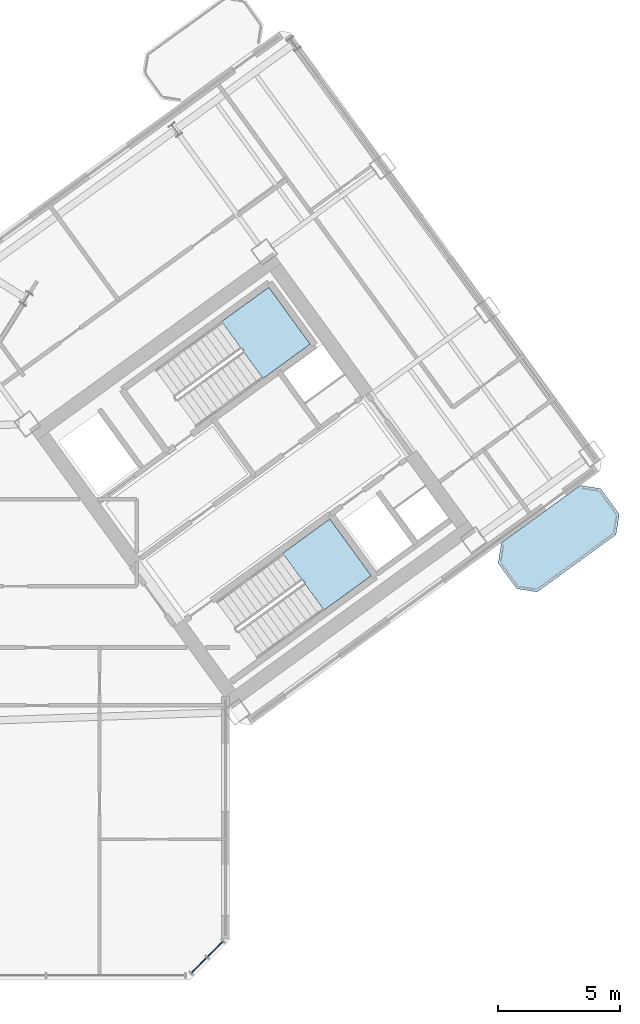
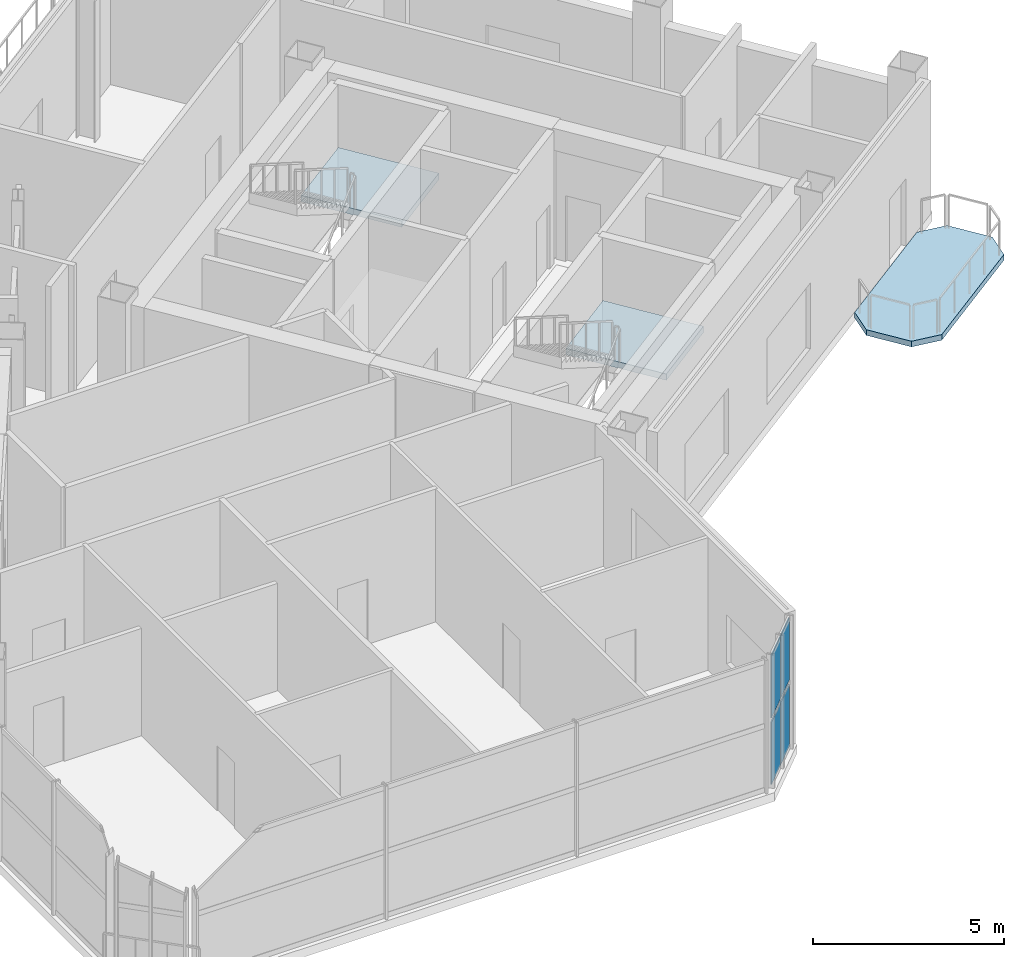
# One storey, part 10 of 21: 4 plates, 3 slabs, 3 elements without a shape of their own.
"""IFC4 building model written with IfcOpenShell, lengths in metres."""

from ifc_helpers import new_model, si_unit, direction, frame, origin, origin_2d, place, context, subcontext, project, spatial, polyline, rectangle, outline, extrude, source, transform, mapped, material, layer, layer_set, type_object, element, aggregate, save


model = new_model("IFC4")

# Units and contexts
model_context = context("Model", 3, precision=1e-05, world=origin(), true_north=direction((0.0, 1.0)))
body_context = subcontext(model_context, "Body", "Model", "MODEL_VIEW")
ifc_project = project(units=[si_unit("LENGTHUNIT", "METRE"), si_unit("AREAUNIT", "SQUARE_METRE"), si_unit("VOLUMEUNIT", "CUBIC_METRE"), si_unit("PLANEANGLEUNIT", "RADIAN"), si_unit("MASSUNIT", "GRAM", prefix="KILO")], contexts=[model_context])

# Site, building, storey
site_placement = place(None, origin())
site = spatial("IfcSite", under=ifc_project, at=site_placement, CompositionType="ELEMENT")
building_placement = place(site_placement, origin())
building = spatial("IfcBuilding", under=site, at=building_placement, Name="Tlacorven Tower", CompositionType="ELEMENT")
storey_placement = place(building_placement, frame((0.0, 0.0, 199.5)))
storey = spatial("IfcBuildingStorey", under=building, at=storey_placement, Name="L50", CompositionType="ELEMENT", Elevation=199.5)

# Slab
ifc_material_1 = material(Name="Precast concrete C45/55", Category="concrete")
ifc_layer_1 = layer(ifc_material_1, 0.179931640625)
ifc_layer_set_1 = layer_set([ifc_layer_1], Name="Precast concrete C45/55")
slab_type_1 = type_object("IfcSlabType", Name="SL-BAL-180", PredefinedType="USERDEFINED", material=ifc_layer_set_1)
slab_1_placement = place(storey_placement, frame((0.0, 0.0, -0.179931640625)))
element("IfcSlab", 1, at=slab_1_placement, inside=storey, type_object=slab_type_1, Name="L50 East Wing Balcony Ribbon OUT", ObjectType="BALCONY SLAB", PredefinedType="USERDEFINED", context=body_context, shape_type="SweptSolid", body=[
    extrude(outline(polyline([(65.025634765625, 17.69482421875), (68.26171875, 20.046142578125), (68.394287109375, 20.884033203125), (67.633056640625, 21.931884765625), (66.795166015625, 22.064453125), (63.55908203125, 19.71337890625), (63.42626953125, 18.875244140625), (64.1875, 17.82763671875), (65.025634765625, 17.69482421875)])), origin(), (0.0, 0.0, 1.0), 0.179931640625),
])

# Stair, slab
ifc_material_2 = material(Name="Concrete C40/50", Category="concrete")
stair_type = type_object("IfcStairType", Name="ST-CORE-DLG", PredefinedType="HALF_TURN_STAIR", material=ifc_material_2)
stair_1_placement = place(storey_placement, origin())
stair_1 = element("IfcStair", 2, at=stair_1_placement, inside=storey, type_object=stair_type, Name="L50 Protected Exit Stair East 1", PredefinedType="HALF_TURN_STAIR")
ifc_layer_2 = layer(ifc_material_2, 0.199951171875)
ifc_layer_set_2 = layer_set([ifc_layer_2], Name="Concrete C40/50")
slab_type_2 = type_object("IfcSlabType", Name="SL-LND-200", PredefinedType="LANDING", material=ifc_layer_set_2)
slab_2_placement = place(storey_placement, frame((0.0, 0.0, 2.050048828125)))
slab_2 = element("IfcSlab", 3, at=slab_2_placement, type_object=slab_type_2, Name="ST-E1 landing 1", PredefinedType="LANDING", context=body_context, shape_type="SweptSolid", body=[
    extrude(outline(polyline([(53.77734375, 26.456787109375), (55.7109375, 27.861572265625), (54.01806640625, 30.19140625), (52.08447265625, 28.78662109375), (53.77734375, 26.456787109375)])), origin(), (0.0, 0.0, 1.0), 0.199951171875),
])
aggregate(stair_1, [slab_2])

stair_2_placement = place(storey_placement, origin())
stair_2 = element("IfcStair", 4, at=stair_2_placement, inside=storey, type_object=stair_type, Name="L50 Protected Exit Stair East 2", PredefinedType="HALF_TURN_STAIR")
slab_3_placement = place(storey_placement, frame((0.0, 0.0, 2.050048828125)))
slab_3 = element("IfcSlab", 5, at=slab_3_placement, type_object=slab_type_2, Name="ST-E2 landing 1", PredefinedType="LANDING", context=body_context, shape_type="SweptSolid", body=[
    extrude(outline(polyline([(56.28125, 16.95361328125), (58.21484375, 18.3583984375), (56.52197265625, 20.6884765625), (54.58837890625, 19.283447265625), (56.28125, 16.95361328125)])), origin(), (0.0, 0.0, 1.0), 0.199951171875),
])
aggregate(stair_2, [slab_3])

# Curtain wall, plates
ifc_material_3 = material(Name="Dark solar low-E double glazing in aluminium frame", Category="aluminium")
curtain_wall_type = type_object("IfcCurtainWallType", Name="CW-COM-AMENITY", PredefinedType="USERDEFINED", material=ifc_material_3)
curtain_wall_placement = place(storey_placement, origin())
curtain_wall = element("IfcCurtainWall", 6, at=curtain_wall_placement, inside=storey, type_object=curtain_wall_type, Name="L50 CW-COM-AMENITY Curtain Wall 228", ObjectType="UNITISED CURTAIN WALL", PredefinedType="USERDEFINED")
ifc_material_4 = material(Name="Dark solar acoustic laminated low-E glazing", Category="glass")
ifc_layer_3 = layer(ifc_material_4, 0.035888671875)
ifc_layer_set_3 = layer_set([ifc_layer_3], Name="Dark solar acoustic laminated low-E glazing")
plate_type = type_object("IfcPlateType", Name="CWP-01", PredefinedType="CURTAIN_PANEL", material=ifc_layer_set_3)
shared_shape = source(origin(), body_context, "Body", "SweptSolid", [
    extrude(rectangle(XDim=0.878173828125, YDim=0.035888671875, at=origin_2d()), origin(), (0.0, 0.0, 1.0), 1.98291015625),
])
plate_1_placement = place(storey_placement, frame((51.815673828125, 3.0419921875, 0.071044921875), z_axis=(0.0, 0.0, 1.0), x_axis=(-0.707106781187, -0.707106781187, 0.0)))
plate_1 = element("IfcPlate", 7, at=plate_1_placement, type_object=plate_type, Name="CW-L50-228 Glazing Panel 1", PredefinedType="CURTAIN_PANEL", context=body_context, shape_type="MappedRepresentation", body=[
    mapped(shared_shape, transform((0.0, 0.0, 0.0), scale=1.0)),
])
plate_2_placement = place(storey_placement, frame((51.815673828125, 3.0419921875, 2.196044921875), z_axis=(0.0, 0.0, 1.0), x_axis=(-0.707106781187, -0.707106781187, 0.0)))
plate_2 = element("IfcPlate", 8, at=plate_2_placement, type_object=plate_type, Name="CW-L50-228 Glazing Panel 2", PredefinedType="CURTAIN_PANEL", context=body_context, shape_type="MappedRepresentation", body=[
    mapped(shared_shape, transform((0.0, 0.0, 0.0), scale=1.0)),
])
plate_3_placement = place(storey_placement, frame((51.157958984375, 2.38427734375, 0.071044921875), z_axis=(0.0, 0.0, 1.0), x_axis=(-0.707106781187, -0.707106781187, 0.0)))
plate_3 = element("IfcPlate", 9, at=plate_3_placement, type_object=plate_type, Name="CW-L50-228 Glazing Panel 3", PredefinedType="CURTAIN_PANEL", context=body_context, shape_type="MappedRepresentation", body=[
    mapped(shared_shape, transform((0.0, 0.0, 0.0), scale=1.0)),
])
plate_4_placement = place(storey_placement, frame((51.157958984375, 2.38427734375, 2.196044921875), z_axis=(0.0, 0.0, 1.0), x_axis=(-0.707106781187, -0.707106781187, 0.0)))
plate_4 = element("IfcPlate", 10, at=plate_4_placement, type_object=plate_type, Name="CW-L50-228 Glazing Panel 4", PredefinedType="CURTAIN_PANEL", context=body_context, shape_type="MappedRepresentation", body=[
    mapped(shared_shape, transform((0.0, 0.0, 0.0), scale=1.0)),
])
aggregate(curtain_wall, [plate_1, plate_2, plate_3, plate_4])

save(model, "model.ifc")
